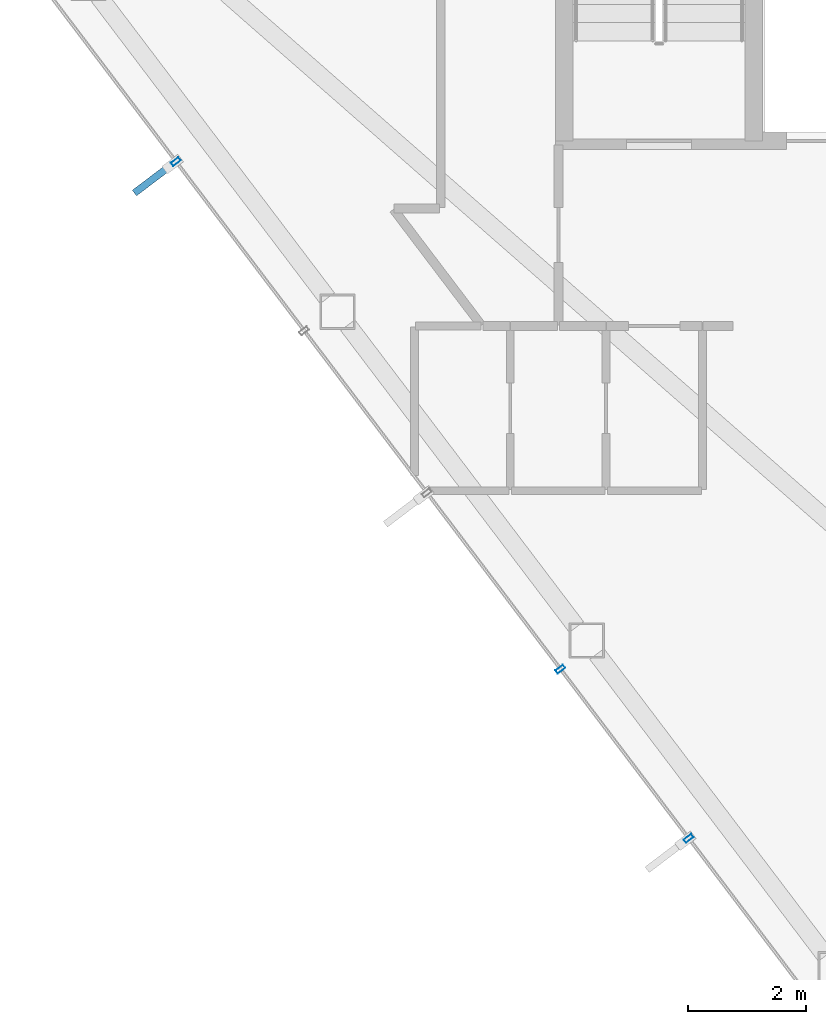
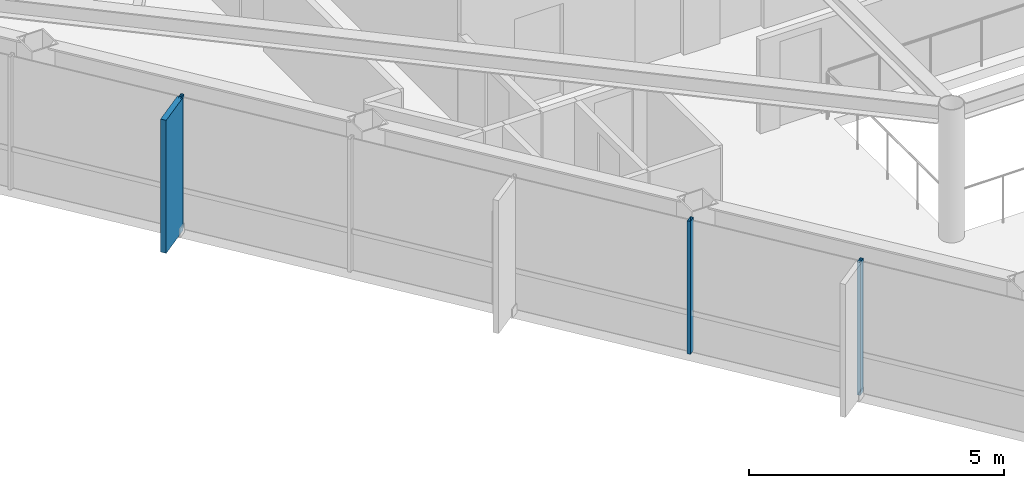
# One storey, part 2 of 25: 4 members, 1 element without a shape of its own.
"""IFC4 building model written with IfcOpenShell, lengths in metres."""

from ifc_helpers import new_model, si_unit, direction, frame, origin, origin_2d, place, context, subcontext, project, spatial, rectangle, hollow_rectangle, extrude, material, layer, layer_set, material_profile, profile_set, type_object, element, aggregate, save


model = new_model("IFC4")

# Units and contexts
model_context = context("Model", 3, precision=1e-05, world=origin(), true_north=direction((0.0, 1.0)))
body_context = subcontext(model_context, "Body", "Model", "MODEL_VIEW")
ifc_project = project(units=[si_unit("LENGTHUNIT", "METRE"), si_unit("AREAUNIT", "SQUARE_METRE"), si_unit("VOLUMEUNIT", "CUBIC_METRE"), si_unit("PLANEANGLEUNIT", "RADIAN"), si_unit("MASSUNIT", "GRAM", prefix="KILO")], contexts=[model_context])

# Site, building, storey
site_placement = place(None, origin())
site = spatial("IfcSite", under=ifc_project, at=site_placement, CompositionType="ELEMENT")
building_placement = place(site_placement, origin())
building = spatial("IfcBuilding", under=site, at=building_placement, Name="Zarrinselat Tower", CompositionType="ELEMENT")
storey_placement = place(building_placement, frame((0.0, 0.0, 242.760009765625)))
storey = spatial("IfcBuildingStorey", under=building, at=storey_placement, Name="L61", CompositionType="ELEMENT", Elevation=242.760009765625)

# Curtain wall, members
ifc_material_1 = material(Name="Extruded Aluminium Alloy EN AW-6063 T6", Category="aluminium")
ifc_layer = layer(ifc_material_1, 0.169921875)
ifc_layer_set = layer_set([ifc_layer], Name="Extruded Aluminium Alloy EN AW-6063 T6")
curtain_wall_type = type_object("IfcCurtainWallType", Name="CWS-RES", PredefinedType="NOTDEFINED", material=ifc_layer_set)
curtain_wall_placement = place(storey_placement, origin())
curtain_wall = element("IfcCurtainWall", 1, at=curtain_wall_placement, inside=storey, type_object=curtain_wall_type, Name="L61 Unitised Curtain Wall CW-L61-E03", PredefinedType="NOTDEFINED")
ifc_material_2 = material(Name="Extruded Aluminium Alloy EN AW-6063 T6", Category="aluminium")
ifc_material_profile_1 = material_profile(ifc_material_2, hollow_rectangle(XDim=0.070068359375, YDim=0.159912109375, WallThickness=0.00390625, at=origin_2d()), Name="RHS 160x70x4")
ifc_profile_set_1 = profile_set([ifc_material_profile_1], Name="Extruded Aluminium Alloy EN AW-6063 T6")
member_type_1 = type_object("IfcMemberType", Name="MEM-CW-MUL2", PredefinedType="MULLION", material=ifc_profile_set_1)
member_1_placement = place(storey_placement, frame((22.04541015625, 32.94580078125, 0.0), z_axis=(0.0, 0.0, 1.0), x_axis=(0.603857888062, -0.797091996588, 0.0)))
member_1 = element("IfcMember", 2, at=member_1_placement, type_object=member_type_1, Name="CW-L61-E03 Mullion 3", PredefinedType="MULLION", context=body_context, shape_type="SweptSolid", body=[
    extrude(hollow_rectangle(XDim=0.070068359375, YDim=0.159912109375, WallThickness=0.00390625, at=origin_2d()), origin(), (0.0, 0.0, 1.0), 3.179931640625),
])
member_2_placement = place(storey_placement, frame((28.583251953125, 24.31591796875, 0.0), z_axis=(0.0, 0.0, 1.0), x_axis=(0.603857888062, -0.797091996588, 0.0)))
member_2 = element("IfcMember", 3, at=member_2_placement, type_object=member_type_1, Name="CW-L61-E03 Mullion 6", PredefinedType="MULLION", context=body_context, shape_type="SweptSolid", body=[
    extrude(hollow_rectangle(XDim=0.070068359375, YDim=0.159912109375, WallThickness=0.00390625, at=origin_2d()), origin(), (0.0, 0.0, 1.0), 3.179931640625),
])
member_3_placement = place(storey_placement, frame((30.762451171875, 21.439208984375, 0.0), z_axis=(0.0, 0.0, 1.0), x_axis=(0.603857888062, -0.797091996588, 0.0)))
member_3 = element("IfcMember", 4, at=member_3_placement, type_object=member_type_1, Name="CW-L61-E03 Mullion 7", PredefinedType="MULLION", context=body_context, shape_type="SweptSolid", body=[
    extrude(hollow_rectangle(XDim=0.070068359375, YDim=0.159912109375, WallThickness=0.00390625, at=origin_2d()), origin(), (0.0, 0.0, 1.0), 3.179931640625),
])
ifc_material_3 = material(Name="Honed Cream Travertine Stone", Category="masonry")
ifc_material_profile_2 = material_profile(ifc_material_3, rectangle(XDim=0.1201171875, YDim=0.85009765625, at=origin_2d()), Name="FIN 850x120")
ifc_profile_set_2 = profile_set([ifc_material_profile_2], Name="Honed Cream Travertine Stone")
member_type_2 = type_object("IfcMemberType", Name="MEM-STONE-FIN", PredefinedType="USERDEFINED", material=ifc_profile_set_2)
member_4_placement = place(storey_placement, frame((21.6787109375, 32.66796875, 0.0), z_axis=(0.0, 0.0, 1.0), x_axis=(-0.603857888062, 0.797091996588, 0.0)))
member_4 = element("IfcMember", 5, at=member_4_placement, type_object=member_type_2, Name="L61 Stone Shading Fin CW-L61-E03-03", ObjectType="FIN", PredefinedType="USERDEFINED", context=body_context, shape_type="SweptSolid", body=[
    extrude(rectangle(XDim=0.1201171875, YDim=0.85009765625, at=origin_2d()), origin(), (0.0, 0.0, 1.0), 3.179931640625),
])
aggregate(curtain_wall, [member_1, member_4, member_2, member_3])

save(model, "model.ifc")
